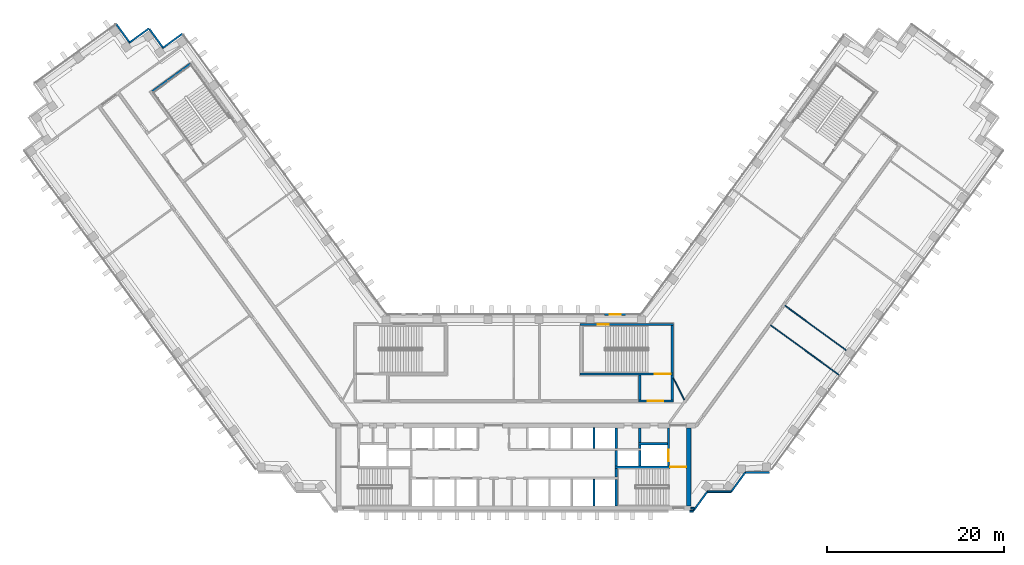
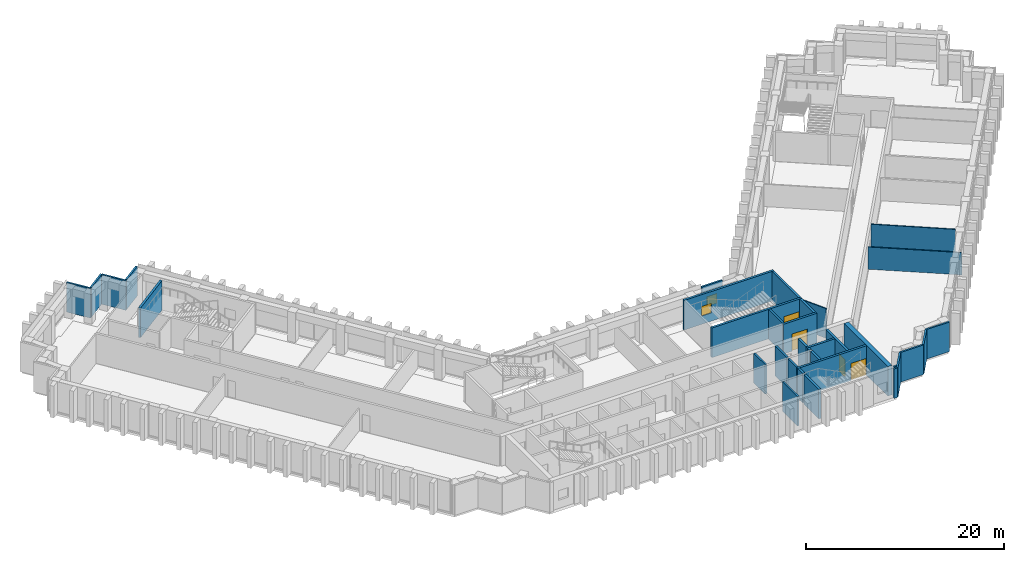
# One storey, part 10 of 15: 34 walls, 4 doors, 2 windows, 6 openings.
"""IFC4 building model written with IfcOpenShell, lengths in metres."""

from ifc_helpers import new_model, si_unit, direction, frame, frame_2d, origin, place, context, subcontext, project, spatial, rectangle, extrude, material, layer, layer_set, type_object, element, fill, save


model = new_model("IFC4")

# Units and contexts
model_context = context("Model", 3, precision=1e-05, world=origin(), true_north=direction((0.0, 1.0)))
body_context = subcontext(model_context, "Body", "Model", "MODEL_VIEW")
ifc_project = project(units=[si_unit("LENGTHUNIT", "METRE"), si_unit("AREAUNIT", "SQUARE_METRE"), si_unit("VOLUMEUNIT", "CUBIC_METRE"), si_unit("PLANEANGLEUNIT", "RADIAN"), si_unit("MASSUNIT", "GRAM", prefix="KILO")], contexts=[model_context])

# Site, building, storey
site_placement = place(None, origin())
site = spatial("IfcSite", under=ifc_project, at=site_placement, CompositionType="ELEMENT")
building_placement = place(site_placement, origin())
building = spatial("IfcBuilding", under=site, at=building_placement, Name="Quipu Civic Tower", CompositionType="ELEMENT")
storey_placement = place(building_placement, frame((0.0, 0.0, 31.0)))
storey = spatial("IfcBuildingStorey", under=building, at=storey_placement, Name="L06", CompositionType="ELEMENT", Elevation=31.0)

# Walls
ifc_material_1 = material(Name="Concrete C70/85", Category="concrete")
ifc_layer_1 = layer(ifc_material_1, 0.25)
ifc_layer_set_1 = layer_set([ifc_layer_1], Name="Concrete C70/85")
wall_type_1 = type_object("IfcWallType", Name="Core wall 250", PredefinedType="SHEAR", material=ifc_layer_set_1)
wall_1_placement = place(storey_placement, frame((11.574951171875, -10.5, 0.0), z_axis=(0.0, 0.0, 1.0), x_axis=(0.0, 1.0, 0.0)))
element("IfcWall", 1, at=wall_1_placement, inside=storey, type_object=wall_type_1, Name="Core wall", PredefinedType="SHEAR", context=body_context, shape_type="SweptSolid", body=[
    extrude(rectangle(XDim=3.0, YDim=0.25, at=frame_2d((1.5, 0.0))), origin(), (0.0, 0.0, 1.0), 3.64990234375),
])
wall_2_placement = place(storey_placement, frame((11.574951171875, -7.25, 0.0), z_axis=(0.0, 0.0, 1.0), x_axis=(0.0, 1.0, 0.0)))
element("IfcWall", 2, at=wall_2_placement, inside=storey, type_object=wall_type_1, Name="Core wall", PredefinedType="SHEAR", context=body_context, shape_type="SweptSolid", body=[
    extrude(rectangle(XDim=1.0, YDim=0.25, at=frame_2d((0.5, 0.0))), origin(), (0.0, 0.0, 1.0), 3.64990234375),
])

# Wall, opening, door
wall_3_placement = place(storey_placement, frame((19.5, -6.125, 0.0), z_axis=(0.0, 0.0, 1.0), x_axis=(-1.0, 0.0, 0.0)))
wall_3 = element("IfcWall", 3, at=wall_3_placement, inside=storey, type_object=wall_type_1, Name="Core wall", PredefinedType="SHEAR", context=body_context, shape_type="SweptSolid", body=[
    extrude(rectangle(XDim=8.050048828125, YDim=0.25, at=frame_2d((4.02490234375, 0.0))), origin(), (0.0, 0.0, 1.0), 3.64990234375),
])
opening_1_placement = place(wall_3_placement, frame((0.050048828125, 0.0, 0.0)))
opening_1 = element("IfcOpeningElement", 4, at=opening_1_placement, cuts=wall_3, Name="Opening CD-05", PredefinedType="OPENING", context=body_context, shape_type="SweptSolid", body=[
    extrude(rectangle(XDim=1.800048828125, YDim=2.10009765625, at=frame_2d((0.89990234375, 1.050048828125))), frame((0.0, 0.135009765625, 0.0), z_axis=(0.0, -1.0, 0.0), x_axis=(1.0, 0.0, 0.0)), (0.0, 0.0, 1.0), 0.27001953125),
])
ifc_material_2 = material(Name="Fire rated steel door", Category="steel")
door_type_1 = type_object("IfcDoorType", Name="Fire door FD90 double 1800 x 2100", OperationType="NOTDEFINED", PredefinedType="DOOR", material=ifc_material_2)
door_1_placement = place(opening_1_placement, origin())
door_1 = element("IfcDoor", 5, at=door_1_placement, inside=storey, type_object=door_type_1, Name="Door", OperationType="DOUBLE_DOOR_SINGLE_SWING", OverallHeight=2.10009765625, OverallWidth=1.800048828125, PredefinedType="DOOR", context=body_context, shape_type="SweptSolid", body=[
    extrude(rectangle(XDim=1.800048828125, YDim=2.10009765625, at=frame_2d((0.89990234375, 1.050048828125))), frame((0.0, 0.02490234375, 0.0), z_axis=(0.0, -1.0, 0.0), x_axis=(1.0, 0.0, 0.0)), (0.0, 0.0, 1.0), 0.050048828125),
])
fill(opening_1, door_1)

# Walls
for number, where, z_axis, x_axis, name in (
    (6, (11.574951171875, -6.0, 0.0), (0.0, 0.0, 1.0), (0.0, 1.0, 0.0), "Core wall"),
    (7, (14.22509765625, -6.0, 0.0), (0.0, 0.0, 1.0), (0.0, 1.0, 0.0), "Core wall"),
):
    element("IfcWall", number, at=place(storey_placement, frame(where, z_axis=z_axis, x_axis=x_axis)), inside=storey, type_object=wall_type_1, Name=name, PredefinedType="SHEAR", context=body_context, shape_type="SweptSolid", body=[
        extrude(rectangle(XDim=1.75, YDim=0.25, at=frame_2d((0.875, 0.0))), origin(), (0.0, 0.0, 1.0), 3.64990234375),
    ])

# Wall, opening, door
wall_4_placement = place(storey_placement, frame((17.47509765625, -6.0, 0.0), z_axis=(0.0, 0.0, 1.0), x_axis=(0.0, 1.0, 0.0)))
wall_4 = element("IfcWall", 8, at=wall_4_placement, inside=storey, type_object=wall_type_1, Name="Core wall", PredefinedType="SHEAR", context=body_context, shape_type="SweptSolid", body=[
    extrude(rectangle(XDim=4.300048828125, YDim=0.25, at=frame_2d((2.14990234375, 0.0))), origin(), (0.0, 0.0, 1.0), 3.64990234375),
])
opening_2_placement = place(wall_4_placement, frame((0.550048828125, 0.0, 0.0)))
opening_2 = element("IfcOpeningElement", 9, at=opening_2_placement, cuts=wall_4, Name="Opening LD-FF2", PredefinedType="OPENING", context=body_context, shape_type="SweptSolid", body=[
    extrude(rectangle(XDim=1.300048828125, YDim=2.10009765625, at=frame_2d((0.64990234375, 1.050048828125))), frame((0.0, 0.135009765625, 0.0), z_axis=(0.0, -1.0, 0.0), x_axis=(1.0, 0.0, 0.0)), (0.0, 0.0, 1.0), 0.27001953125),
])
ifc_material_3 = material(Name="Stainless steel", Category="steel")
door_type_2 = type_object("IfcDoorType", Name="Lift landing door 1300 x 2100", OperationType="DOUBLE_DOOR_SLIDING", PredefinedType="DOOR", material=ifc_material_3)
door_2_placement = place(opening_2_placement, origin())
door_2 = element("IfcDoor", 10, at=door_2_placement, inside=storey, type_object=door_type_2, Name="Landing door FF2", OperationType="DOUBLE_DOOR_SLIDING", OverallHeight=2.10009765625, OverallWidth=1.300048828125, PredefinedType="DOOR", context=body_context, shape_type="SweptSolid", body=[
    extrude(rectangle(XDim=1.300048828125, YDim=2.10009765625, at=frame_2d((0.64990234375, 1.050048828125))), frame((0.0, 0.02490234375, 0.0), z_axis=(0.0, -1.0, 0.0), x_axis=(1.0, 0.0, 0.0)), (0.0, 0.0, 1.0), 0.050048828125),
])
fill(opening_2, door_2)

# Walls
wall_5_placement = place(storey_placement, frame((11.574951171875, -4.0, 0.0), z_axis=(0.0, 0.0, 1.0), x_axis=(0.0, 1.0, 0.0)))
element("IfcWall", 11, at=wall_5_placement, inside=storey, type_object=wall_type_1, Name="Core wall", PredefinedType="SHEAR", context=body_context, shape_type="SweptSolid", body=[
    extrude(rectangle(XDim=2.300048828125, YDim=0.25, at=frame_2d((1.14990234375, 0.0))), origin(), (0.0, 0.0, 1.0), 3.64990234375),
])
wall_6_placement = place(storey_placement, frame((14.22509765625, -4.0, 0.0), z_axis=(0.0, 0.0, 1.0), x_axis=(0.0, 1.0, 0.0)))
element("IfcWall", 12, at=wall_6_placement, inside=storey, type_object=wall_type_1, Name="Core wall", PredefinedType="SHEAR", context=body_context, shape_type="SweptSolid", body=[
    extrude(rectangle(XDim=0.39990234375, YDim=0.25, at=frame_2d((0.199951171875, 0.0))), origin(), (0.0, 0.0, 1.0), 3.64990234375),
])
wall_7_placement = place(storey_placement, frame((14.10009765625, -3.47509765625, 0.0), z_axis=(0.0, 0.0, 1.0), x_axis=(1.0, 0.0, 0.0)))
element("IfcWall", 13, at=wall_7_placement, inside=storey, type_object=wall_type_1, Name="Core wall", PredefinedType="SHEAR", context=body_context, shape_type="SweptSolid", body=[
    extrude(rectangle(XDim=3.25, YDim=0.25, at=frame_2d((1.625, 0.0))), origin(), (0.0, 0.0, 1.0), 3.64990234375),
])
wall_8_placement = place(storey_placement, frame((14.22509765625, -3.35009765625, 0.0), z_axis=(0.0, 0.0, 1.0), x_axis=(0.0, 1.0, 0.0)))
element("IfcWall", 14, at=wall_8_placement, inside=storey, type_object=wall_type_1, Name="Core wall", PredefinedType="SHEAR", context=body_context, shape_type="SweptSolid", body=[
    extrude(rectangle(XDim=1.650146484375, YDim=0.25, at=frame_2d((0.8251953125, 0.0))), origin(), (0.0, 0.0, 1.0), 3.64990234375),
])

# Wall, opening, door
wall_9_placement = place(storey_placement, frame((14.10009765625, 1.324951171875, 0.0), z_axis=(0.0, 0.0, 1.0), x_axis=(1.0, 0.0, 0.0)))
wall_9 = element("IfcWall", 15, at=wall_9_placement, inside=storey, type_object=wall_type_1, Name="Core wall", PredefinedType="SHEAR", context=body_context, shape_type="SweptSolid", body=[
    extrude(rectangle(XDim=3.89990234375, YDim=0.25, at=frame_2d((1.949951171875, 0.0))), origin(), (0.0, 0.0, 1.0), 3.64990234375),
])
opening_3_placement = place(wall_9_placement, frame((1.0, 0.0, 0.0)))
opening_3 = element("IfcOpeningElement", 16, at=opening_3_placement, cuts=wall_9, Name="Opening CD-17", PredefinedType="OPENING", context=body_context, shape_type="SweptSolid", body=[
    extrude(rectangle(XDim=1.800048828125, YDim=2.10009765625, at=frame_2d((0.89990234375, 1.050048828125))), frame((0.0, 0.135009765625, 0.0), z_axis=(0.0, -1.0, 0.0), x_axis=(1.0, 0.0, 0.0)), (0.0, 0.0, 1.0), 0.27001953125),
])
door_3_placement = place(opening_3_placement, origin())
door_3 = element("IfcDoor", 17, at=door_3_placement, inside=storey, type_object=door_type_1, Name="Lobby door", OperationType="DOUBLE_DOOR_SINGLE_SWING", OverallHeight=2.10009765625, OverallWidth=1.800048828125, PredefinedType="DOOR", context=body_context, shape_type="SweptSolid", body=[
    extrude(rectangle(XDim=1.800048828125, YDim=2.10009765625, at=frame_2d((0.89990234375, 1.050048828125))), frame((0.0, 0.02490234375, 0.0), z_axis=(0.0, -1.0, 0.0), x_axis=(1.0, 0.0, 0.0)), (0.0, 0.0, 1.0), 0.050048828125),
])
fill(opening_3, door_3)

# Walls
for number, where, z_axis, x_axis, name in (
    (18, (14.22509765625, 1.449951171875, 0.0), (0.0, 0.0, 1.0), (0.0, 1.0, 0.0), "Core wall"),
    (19, (17.875, 1.449951171875, 0.0), (0.0, 0.0, 1.0), (0.0, 1.0, 0.0), "Core wall"),
):
    element("IfcWall", number, at=place(storey_placement, frame(where, z_axis=z_axis, x_axis=x_axis)), inside=storey, type_object=wall_type_1, Name=name, PredefinedType="SHEAR", context=body_context, shape_type="SweptSolid", body=[
        extrude(rectangle(XDim=2.800048828125, YDim=0.25, at=frame_2d((1.39990234375, 0.0))), origin(), (0.0, 0.0, 1.0), 3.64990234375),
    ])

# Wall, opening, door
wall_10_placement = place(storey_placement, frame((7.5, 4.375, 0.0), z_axis=(0.0, 0.0, 1.0), x_axis=(1.0, 0.0, 0.0)))
wall_10 = element("IfcWall", 20, at=wall_10_placement, inside=storey, type_object=wall_type_1, Name="Core wall", PredefinedType="SHEAR", context=body_context, shape_type="SweptSolid", body=[
    extrude(rectangle(XDim=10.5, YDim=0.25, at=frame_2d((5.25, 0.0))), origin(), (0.0, 0.0, 1.0), 3.64990234375),
])
opening_4_placement = place(wall_10_placement, frame((8.39990234375, 0.0, 0.0)))
opening_4 = element("IfcOpeningElement", 21, at=opening_4_placement, cuts=wall_10, Name="Opening CD-18", PredefinedType="OPENING", context=body_context, shape_type="SweptSolid", body=[
    extrude(rectangle(XDim=1.800048828125, YDim=2.10009765625, at=frame_2d((0.89990234375, 1.050048828125))), frame((0.0, 0.135009765625, 0.0), z_axis=(0.0, -1.0, 0.0), x_axis=(1.0, 0.0, 0.0)), (0.0, 0.0, 1.0), 0.27001953125),
])
door_4_placement = place(opening_4_placement, origin())
door_4 = element("IfcDoor", 22, at=door_4_placement, inside=storey, type_object=door_type_1, Name="Door", OperationType="DOUBLE_DOOR_SINGLE_SWING", OverallHeight=2.10009765625, OverallWidth=1.800048828125, PredefinedType="DOOR", context=body_context, shape_type="SweptSolid", body=[
    extrude(rectangle(XDim=1.800048828125, YDim=2.10009765625, at=frame_2d((0.89990234375, 1.050048828125))), frame((0.0, 0.02490234375, 0.0), z_axis=(0.0, -1.0, 0.0), x_axis=(1.0, 0.0, 0.0)), (0.0, 0.0, 1.0), 0.050048828125),
])
fill(opening_4, door_4)

# Wall
wall_11_placement = place(storey_placement, frame((17.875, 4.5, 0.0), z_axis=(0.0, 0.0, 1.0), x_axis=(0.0, 1.0, 0.0)))
element("IfcWall", 23, at=wall_11_placement, inside=storey, type_object=wall_type_1, Name="Core wall", PredefinedType="SHEAR", context=body_context, shape_type="SweptSolid", body=[
    extrude(rectangle(XDim=5.35009765625, YDim=0.25, at=frame_2d((2.675048828125, 0.0))), origin(), (0.0, 0.0, 1.0), 3.64990234375),
])

# Wall, opening, window
wall_12_placement = place(storey_placement, frame((7.5, 9.97509765625, 0.0), z_axis=(0.0, 0.0, 1.0), x_axis=(1.0, 0.0, 0.0)))
wall_12 = element("IfcWall", 24, at=wall_12_placement, inside=storey, type_object=wall_type_1, Name="Core wall", PredefinedType="SHEAR", context=body_context, shape_type="SweptSolid", body=[
    extrude(rectangle(XDim=10.5, YDim=0.25, at=frame_2d((5.25, 0.0))), origin(), (0.0, 0.0, 1.0), 3.64990234375),
])
opening_5_placement = place(wall_12_placement, frame((2.0, 0.0, 1.0)))
opening_5 = element("IfcOpeningElement", 25, at=opening_5_placement, cuts=wall_12, Name="Opening SV-4", PredefinedType="OPENING", context=body_context, shape_type="SweptSolid", body=[
    extrude(rectangle(XDim=1.199951171875, YDim=1.199951171875, at=frame_2d((0.60009765625, 0.60009765625))), frame((0.0, 0.135009765625, 0.0), z_axis=(0.0, -1.0, 0.0), x_axis=(1.0, 0.0, 0.0)), (0.0, 0.0, 1.0), 0.27001953125),
])
ifc_material_4 = material(Name="Aluminium louvre", Category="aluminium")
window_type_1 = type_object("IfcWindowType", Name="Stair ventilation louvre 1200 x 1200", PartitioningType="SINGLE_PANEL", PredefinedType="WINDOW", material=ifc_material_4)
window_1_placement = place(opening_5_placement, origin())
window_1 = element("IfcWindow", 26, at=window_1_placement, inside=storey, type_object=window_type_1, Name="Stair ventilation opening", OverallHeight=1.199951171875, OverallWidth=1.199951171875, PartitioningType="SINGLE_PANEL", PredefinedType="WINDOW", context=body_context, shape_type="SweptSolid", body=[
    extrude(rectangle(XDim=1.199951171875, YDim=1.199951171875, at=frame_2d((0.60009765625, 0.60009765625))), frame((0.0, 0.030029296875, 0.0), z_axis=(0.0, -1.0, 0.0), x_axis=(1.0, 0.0, 0.0)), (0.0, 0.0, 1.0), 0.06005859375),
])
fill(opening_5, window_1)

# Walls
wall_13_placement = place(storey_placement, frame((-36.43896484375, 39.384033203125, 0.0), z_axis=(0.0, 0.0, 1.0), x_axis=(-0.809020161303, -0.587780893365, 0.0)))
element("IfcWall", 27, at=wall_13_placement, inside=storey, type_object=wall_type_1, Name="Core wall", PredefinedType="SHEAR", context=body_context, shape_type="SweptSolid", body=[
    extrude(rectangle(XDim=5.349853515625, YDim=0.25, at=frame_2d((2.6748046875, 0.0))), origin(), (0.0, 0.0, 1.0), 3.64990234375),
])
ifc_material_5 = material(Name="Concrete C70/85", Category="concrete")
ifc_layer_2 = layer(ifc_material_5, 0.5)
ifc_layer_set_2 = layer_set([ifc_layer_2], Name="Concrete C70/85")
wall_type_2 = type_object("IfcWallType", Name="Core wall 500", PredefinedType="SHEAR", material=ifc_layer_set_2)
wall_14_placement = place(storey_placement, frame((19.75, -10.5, 0.0), z_axis=(0.0, 0.0, 1.0), x_axis=(0.0, 1.0, 0.0)))
element("IfcWall", 28, at=wall_14_placement, inside=storey, type_object=wall_type_2, Name="Core wall", PredefinedType="SHEAR", context=body_context, shape_type="SweptSolid", body=[
    extrude(rectangle(XDim=8.800048828125, YDim=0.5, at=frame_2d((4.39990234375, 0.0))), origin(), (0.0, 0.0, 1.0), 3.64990234375),
])
ifc_material_6 = material(Name="Gypsum plasterboard on light gauge framing")
ifc_layer_3 = layer(ifc_material_6, 0.1201171875)
ifc_layer_set_3 = layer_set([ifc_layer_3], Name="Gypsum plasterboard on light gauge framing")
wall_type_3 = type_object("IfcWallType", Name="Partition 120 plasterboard", PredefinedType="PARTITIONING", material=ifc_layer_set_3)
wall_15_placement = place(storey_placement, frame((36.7021484375, 4.274169921875, 0.0), z_axis=(0.0, 0.0, 1.0), x_axis=(-0.808998008689, 0.58781138296, 0.0)))
element("IfcWall", 29, at=wall_15_placement, inside=storey, type_object=wall_type_3, Name="Partition P02", PredefinedType="PARTITIONING", context=body_context, shape_type="SweptSolid", body=[
    extrude(rectangle(XDim=9.5498046875, YDim=0.1201171875, at=frame_2d((4.77490234375, 0.0))), origin(), (0.0, 0.0, 1.0), 2.75),
])
wall_16_placement = place(storey_placement, frame((30.5869140625, 12.104248046875, 0.0), z_axis=(0.0, 0.0, 1.0), x_axis=(0.807590933527, -0.589743066161, 0.0)))
element("IfcWall", 30, at=wall_16_placement, inside=storey, type_object=wall_type_3, Name="Partition P04", PredefinedType="PARTITIONING", context=body_context, shape_type="SweptSolid", body=[
    extrude(rectangle(XDim=8.594482421875, YDim=0.1201171875, at=frame_2d((4.29736328125, 0.0))), origin(), (0.0, 0.0, 1.0), 3.64990234375),
])
wall_17_placement = place(storey_placement, frame((18.0, 3.925048828125, 0.0), z_axis=(0.0, 0.0, 1.0), x_axis=(0.453950796792, -0.891026752736, 0.0)))
element("IfcWall", 31, at=wall_17_placement, inside=storey, type_object=wall_type_3, Name="Partition P17", PredefinedType="PARTITIONING", context=body_context, shape_type="SweptSolid", body=[
    extrude(rectangle(XDim=2.77783203125, YDim=0.1201171875, at=frame_2d((1.388916015625, 0.0))), origin(), (0.0, 0.0, 1.0), 3.64990234375),
])
ifc_material_7 = material(Name="Precast concrete C40/50", Category="concrete")
wall_type_4 = type_object("IfcWallType", Name="Precast cladding wall", PredefinedType="SOLIDWALL", material=ifc_material_7)
wall_18_placement = place(storey_placement, frame((19.85009765625, -11.087890625, 0.0), z_axis=(0.0, 0.0, 1.0), x_axis=(1.0, 0.0, 0.0)))
element("IfcWall", 32, at=wall_18_placement, inside=storey, type_object=wall_type_4, Name="Precast cladding wall L06 11", PredefinedType="SOLIDWALL", context=body_context, shape_type="SweptSolid", body=[
    extrude(rectangle(XDim=0.40576171875, YDim=0.199951171875, at=frame_2d((0.202880859375, 0.0))), origin(), (0.0, 0.0, 1.0), 3.64990234375),
])
wall_19_placement = place(storey_placement, frame((20.253173828125, -11.083251953125, 0.0), z_axis=(0.0, 0.0, 1.0), x_axis=(0.587766567315, 0.809030569476, 0.0)))
element("IfcWall", 33, at=wall_19_placement, inside=storey, type_object=wall_type_4, Name="Precast cladding wall L06 12", PredefinedType="SOLIDWALL", context=body_context, shape_type="SweptSolid", body=[
    extrude(rectangle(XDim=2.687744140625, YDim=0.199951171875, at=frame_2d((1.34375, 0.0))), origin(), (0.0, 0.0, 1.0), 3.64990234375),
])
wall_20_placement = place(storey_placement, frame((21.8427734375, -8.90380859375, 0.0), z_axis=(0.0, 0.0, 1.0), x_axis=(1.0, 0.0, 0.0)))
element("IfcWall", 34, at=wall_20_placement, inside=storey, type_object=wall_type_4, Name="Precast cladding wall L06 13", PredefinedType="SOLIDWALL", context=body_context, shape_type="SweptSolid", body=[
    extrude(rectangle(XDim=2.699951171875, YDim=0.199951171875, at=frame_2d((1.35009765625, 0.0))), origin(), (0.0, 0.0, 1.0), 3.64990234375),
])
wall_21_placement = place(storey_placement, frame((24.533203125, -8.90869140625, 0.0), z_axis=(0.0, 0.0, 1.0), x_axis=(0.587720002413, 0.809064397168, 0.0)))
element("IfcWall", 35, at=wall_21_placement, inside=storey, type_object=wall_type_4, Name="Precast cladding wall L06 14", PredefinedType="SOLIDWALL", context=body_context, shape_type="SweptSolid", body=[
    extrude(rectangle(XDim=2.7001953125, YDim=0.199951171875, at=frame_2d((1.35009765625, 0.0))), origin(), (0.0, 0.0, 1.0), 3.64990234375),
])
wall_22_placement = place(storey_placement, frame((26.1298828125, -6.71923828125, 0.0), z_axis=(0.0, 0.0, 1.0), x_axis=(1.0, 0.0, 0.0)))
element("IfcWall", 36, at=wall_22_placement, inside=storey, type_object=wall_type_4, Name="Precast cladding wall L06 15", PredefinedType="SOLIDWALL", context=body_context, shape_type="SweptSolid", body=[
    extrude(rectangle(XDim=2.699951171875, YDim=0.199951171875, at=frame_2d((1.35009765625, 0.0))), origin(), (0.0, 0.0, 1.0), 3.64990234375),
])

# Wall, opening, window
wall_23_placement = place(storey_placement, frame((12.655029296875, 11.10009765625, 0.0), z_axis=(0.0, 0.0, 1.0), x_axis=(-1.0, 0.0, 0.0)))
wall_23 = element("IfcWall", 37, at=wall_23_placement, inside=storey, type_object=wall_type_4, Name="Vent surround SF-L06-2", PredefinedType="SOLIDWALL", context=body_context, shape_type="SweptSolid", body=[
    extrude(rectangle(XDim=2.3916015625, YDim=0.199951171875, at=frame_2d((1.19580078125, 0.0))), origin(), (0.0, 0.0, 1.0), 3.64990234375),
])
opening_6_placement = place(wall_23_placement, frame((0.595703125, 0.0, 1.0)))
opening_6 = element("IfcOpeningElement", 38, at=opening_6_placement, cuts=wall_23, Name="Opening SF-L06-2", PredefinedType="OPENING", context=body_context, shape_type="SweptSolid", body=[
    extrude(rectangle(XDim=1.199951171875, YDim=1.199951171875, at=frame_2d((0.60009765625, 0.60009765625))), frame((0.0, 0.10986328125, 0.0), z_axis=(0.0, -1.0, 0.0), x_axis=(1.0, 0.0, 0.0)), (0.0, 0.0, 1.0), 0.219970703125),
])
ifc_material_8 = material(Name="Anodised aluminium louvre", Category="aluminium")
window_type_2 = type_object("IfcWindowType", Name="Stair vent louvre window P3", PartitioningType="SINGLE_PANEL", PredefinedType="WINDOW", material=ifc_material_8)
window_2_placement = place(opening_6_placement, origin())
window_2 = element("IfcWindow", 39, at=window_2_placement, inside=storey, type_object=window_type_2, Name="Stair vent louvre SF-L06-2", OverallHeight=1.199951171875, OverallWidth=1.199951171875, PartitioningType="SINGLE_PANEL", PredefinedType="WINDOW", context=body_context, shape_type="SweptSolid", body=[
    extrude(rectangle(XDim=1.199951171875, YDim=1.199951171875, at=frame_2d((0.60009765625, 0.60009765625))), frame((0.0, 0.030029296875, 0.0), z_axis=(0.0, -1.0, 0.0), x_axis=(1.0, 0.0, 0.0)), (0.0, 0.0, 1.0), 0.06005859375),
])
fill(opening_6, window_2)

# Walls
wall_24_placement = place(storey_placement, frame((-37.352783203125, 42.768310546875, 0.0), z_axis=(0.0, 0.0, 1.0), x_axis=(-0.809033161865, -0.587762999008, 0.0)))
element("IfcWall", 40, at=wall_24_placement, inside=storey, type_object=wall_type_4, Name="Precast cladding wall L06 33", PredefinedType="SOLIDWALL", context=body_context, shape_type="SweptSolid", body=[
    extrude(rectangle(XDim=2.699951171875, YDim=0.199951171875, at=frame_2d((1.35009765625, 0.0))), origin(), (0.0, 0.0, 1.0), 3.64990234375),
])
wall_25_placement = place(storey_placement, frame((-39.488037109375, 41.093505859375, 0.0), z_axis=(0.0, 0.0, 1.0), x_axis=(-0.587806000234, 0.809001919707, 0.0)))
element("IfcWall", 41, at=wall_25_placement, inside=storey, type_object=wall_type_4, Name="Precast cladding wall L06 34", PredefinedType="SOLIDWALL", context=body_context, shape_type="SweptSolid", body=[
    extrude(rectangle(XDim=2.69970703125, YDim=0.199951171875, at=frame_2d((1.349853515625, 0.0))), origin(), (0.0, 0.0, 1.0), 3.64990234375),
])
for number, where, z_axis, x_axis, name in (
    (42, (-41.1240234375, 43.36572265625, 0.0), (0.0, 0.0, 1.0), (-0.809033161865, -0.587762999008, 0.0), "Precast cladding wall L06 35"),
    (43, (-43.25927734375, 41.690673828125, 0.0), (0.0, 0.0, 1.0), (-0.587822180636, 0.808990163075, 0.0), "Precast cladding wall L06 36"),
):
    element("IfcWall", number, at=place(storey_placement, frame(where, z_axis=z_axis, x_axis=x_axis)), inside=storey, type_object=wall_type_4, Name=name, PredefinedType="SOLIDWALL", context=body_context, shape_type="SweptSolid", body=[
        extrude(rectangle(XDim=2.699951171875, YDim=0.199951171875, at=frame_2d((1.35009765625, 0.0))), origin(), (0.0, 0.0, 1.0), 3.64990234375),
    ])
wall_26_placement = place(storey_placement, frame((19.97998046875, -10.75, 0.0), z_axis=(0.0, 0.0, 1.0), x_axis=(1.0, 0.0, 0.0)))
element("IfcWall", 44, at=wall_26_placement, inside=storey, type_object=wall_type_4, Name="Precast cladding return L06 E", PredefinedType="SOLIDWALL", context=body_context, shape_type="SweptSolid", body=[
    extrude(rectangle(XDim=0.41650390625, YDim=0.199951171875, at=frame_2d((0.208251953125, 0.0))), origin(), (0.0, 0.0, 1.0), 3.64990234375),
])
ifc_material_9 = material(Name="Concrete C40/50", Category="concrete")
ifc_layer_4 = layer(ifc_material_9, 0.199951171875)
ifc_layer_set_4 = layer_set([ifc_layer_4], Name="Concrete C40/50")
wall_type_5 = type_object("IfcWallType", Name="Shaft wall 200", PredefinedType="SOLIDWALL", material=ifc_layer_set_4)
wall_27_placement = place(storey_placement, frame((9.050048828125, -10.5, 0.0), z_axis=(0.0, 0.0, 1.0), x_axis=(0.0, 1.0, 0.0)))
element("IfcWall", 45, at=wall_27_placement, inside=storey, type_object=wall_type_5, Name="Shaft wall", PredefinedType="SOLIDWALL", context=body_context, shape_type="SweptSolid", body=[
    extrude(rectangle(XDim=3.0, YDim=0.199951171875, at=frame_2d((1.5, 0.0))), origin(), (0.0, 0.0, 1.0), 3.64990234375),
])
wall_28_placement = place(storey_placement, frame((9.050048828125, -4.0, 0.0), z_axis=(0.0, 0.0, 1.0), x_axis=(0.0, 1.0, 0.0)))
element("IfcWall", 46, at=wall_28_placement, inside=storey, type_object=wall_type_5, Name="Shaft wall", PredefinedType="SOLIDWALL", context=body_context, shape_type="SweptSolid", body=[
    extrude(rectangle(XDim=2.300048828125, YDim=0.199951171875, at=frame_2d((1.14990234375, 0.0))), origin(), (0.0, 0.0, 1.0), 3.64990234375),
])

save(model, "model.ifc")
